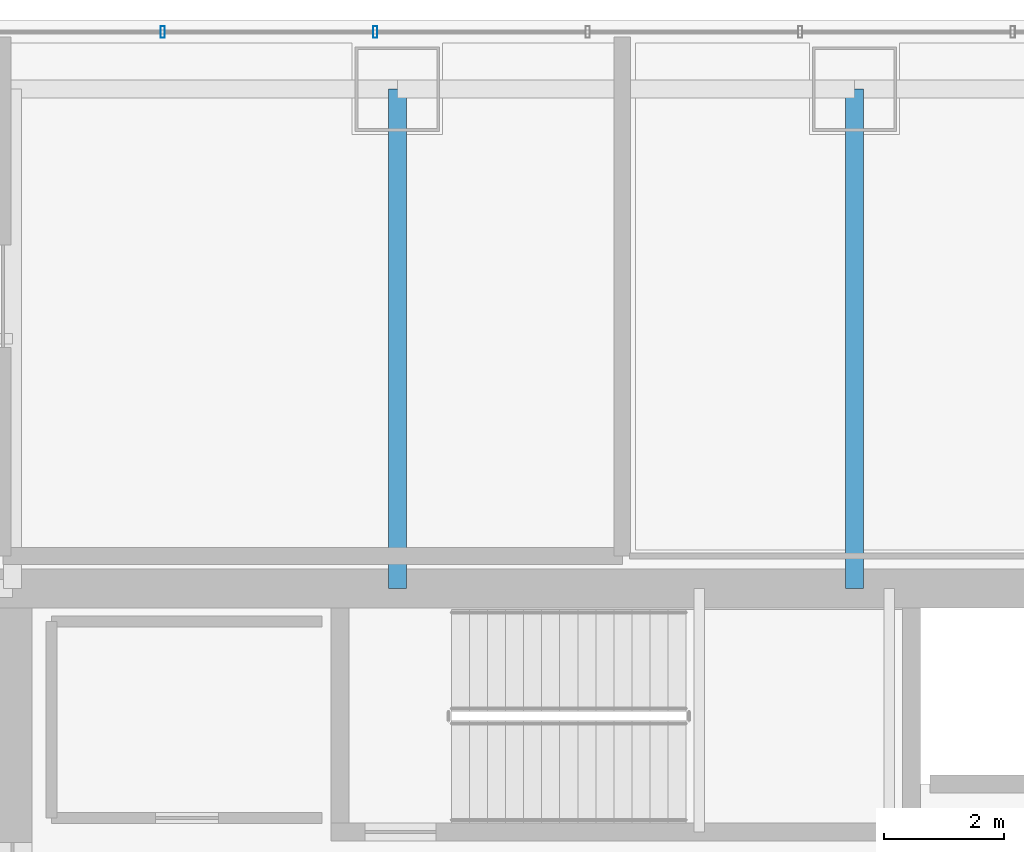
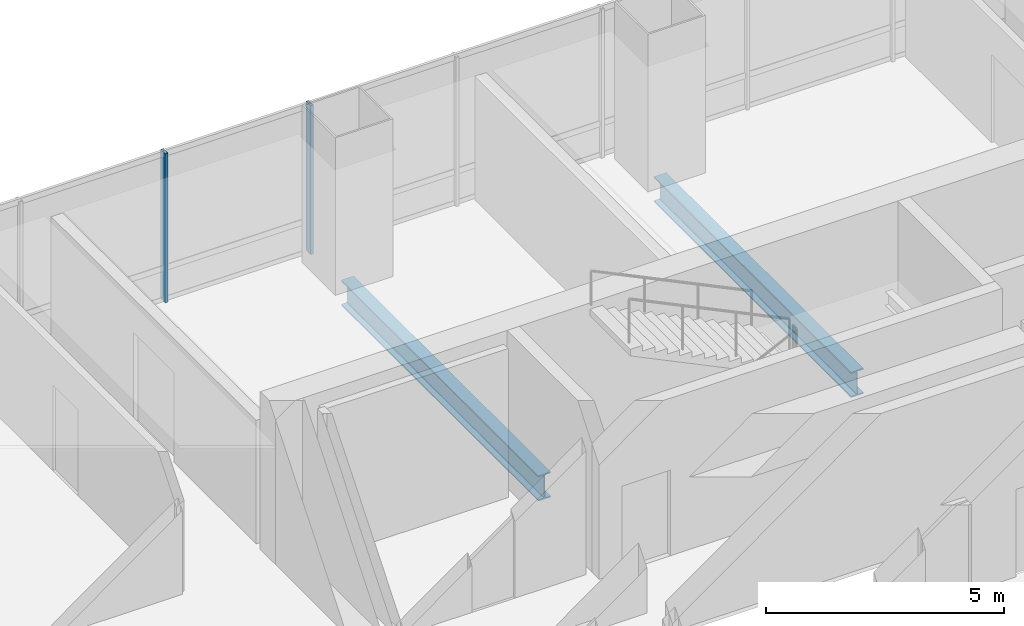
# One storey, part 22 of 36: 2 beams, 2 members, 1 element without a shape of its own.
"""IFC4 building model written with IfcOpenShell, lengths in metres."""

from ifc_helpers import new_model, si_unit, direction, frame, origin, origin_2d, place, context, subcontext, project, spatial, hollow_rectangle, i_section, extrude, material, material_profile, profile_set, type_object, element, aggregate, save


model = new_model("IFC4")

# Units and contexts
model_context = context("Model", 3, precision=1e-05, world=origin(), true_north=direction((0.0, 1.0)))
body_context = subcontext(model_context, "Body", "Model", "MODEL_VIEW")
ifc_project = project(units=[si_unit("LENGTHUNIT", "METRE"), si_unit("AREAUNIT", "SQUARE_METRE"), si_unit("VOLUMEUNIT", "CUBIC_METRE"), si_unit("PLANEANGLEUNIT", "RADIAN"), si_unit("MASSUNIT", "GRAM", prefix="KILO")], contexts=[model_context])

# Site, building, storey
site_placement = place(None, origin())
site = spatial("IfcSite", under=ifc_project, at=site_placement, CompositionType="ELEMENT")
building_placement = place(site_placement, origin())
building = spatial("IfcBuilding", under=site, at=building_placement, Name="Punatoya Terracotta Tower", CompositionType="ELEMENT")
storey_placement = place(building_placement, frame((0.0, 0.0, 184.35009765625)))
storey = spatial("IfcBuildingStorey", under=building, at=storey_placement, Name="L43", CompositionType="ELEMENT", Elevation=184.35009765625)

# Beams
ifc_material_1 = material(Name="Steel S355", Category="steel")
ifc_material_profile_1 = material_profile(ifc_material_1, i_section(OverallWidth=0.300048828125, OverallDepth=0.64990234375, WebThickness=0.01611328125, FlangeThickness=0.031005859375, FilletRadius=0.01806640625, at=origin_2d()))
ifc_profile_set_1 = profile_set([ifc_material_profile_1], Name="Steel S355")
beam_type = type_object("IfcBeamType", Name="BM-PRI-650", PredefinedType="BEAM", material=ifc_profile_set_1)
for number, where, z_axis, x_axis, name in (
    (1, (-3.800048828125, 9.199951171875, -0.545166015625), (0.0, 1.0, 0.0), (-1.0, 0.0, 0.0), "BM-L43-PR-N2"),
    (2, (3.800048828125, 9.199951171875, -0.545166015625), (0.0, 1.0, 0.0), (-1.0, 0.0, 0.0), "BM-L43-PR-N3"),
):
    element("IfcBeam", number, at=place(storey_placement, frame(where, z_axis=z_axis, x_axis=x_axis)), inside=storey, type_object=beam_type, Name=name, PredefinedType="BEAM", context=body_context, shape_type="SweptSolid", body=[
        extrude(i_section(OverallWidth=0.300048828125, OverallDepth=0.64990234375, WebThickness=0.01611328125, FlangeThickness=0.031005859375, FilletRadius=0.01806640625, at=origin_2d()), origin(), (0.0, 0.0, 1.0), 8.300048828125),
    ])

# Curtain wall, members
ifc_material_2 = material(Name="Aluminium 6063-T6 + Double Low-E Glass", Category="aluminium")
curtain_wall_type = type_object("IfcCurtainWallType", Name="CW-M2", PredefinedType="NOTDEFINED", material=ifc_material_2)
curtain_wall_placement = place(storey_placement, origin())
curtain_wall = element("IfcCurtainWall", 3, at=curtain_wall_placement, inside=storey, type_object=curtain_wall_type, Name="L43 Curtain Wall CW-L43-N09-1", PredefinedType="NOTDEFINED")
ifc_material_3 = material(Name="Aluminium 6063-T6", Category="aluminium")
ifc_material_profile_2 = material_profile(ifc_material_3, hollow_rectangle(XDim=0.072021484375, YDim=0.195068359375, WallThickness=0.00439453125, at=origin_2d()))
ifc_profile_set_2 = profile_set([ifc_material_profile_2], Name="Aluminium 6063-T6")
member_type = type_object("IfcMemberType", Name="CW-MUL-M2", PredefinedType="MULLION", material=ifc_profile_set_2)
member_1_placement = place(storey_placement, frame((-4.1669921875, 18.449951171875, 0.0), z_axis=(0.0, 0.0, 1.0), x_axis=(1.0, 0.0, 0.0)))
member_1 = element("IfcMember", 4, at=member_1_placement, type_object=member_type, Name="CW-L43-N09-1 Mullion 06", PredefinedType="MULLION", context=body_context, shape_type="SweptSolid", body=[
    extrude(hollow_rectangle(XDim=0.072021484375, YDim=0.195068359375, WallThickness=0.00439453125, at=origin_2d()), origin(), (0.0, 0.0, 1.0), 3.829833984375),
])
member_2_placement = place(storey_placement, frame((-7.700927734375, 18.449951171875, 0.0), z_axis=(0.0, 0.0, 1.0), x_axis=(1.0, 0.0, 0.0)))
member_2 = element("IfcMember", 5, at=member_2_placement, type_object=member_type, Name="CW-L43-N09-1 Mullion 07", PredefinedType="MULLION", context=body_context, shape_type="SweptSolid", body=[
    extrude(hollow_rectangle(XDim=0.072021484375, YDim=0.195068359375, WallThickness=0.00439453125, at=origin_2d()), origin(), (0.0, 0.0, 1.0), 3.829833984375),
])
aggregate(curtain_wall, [member_1, member_2])

save(model, "model.ifc")
